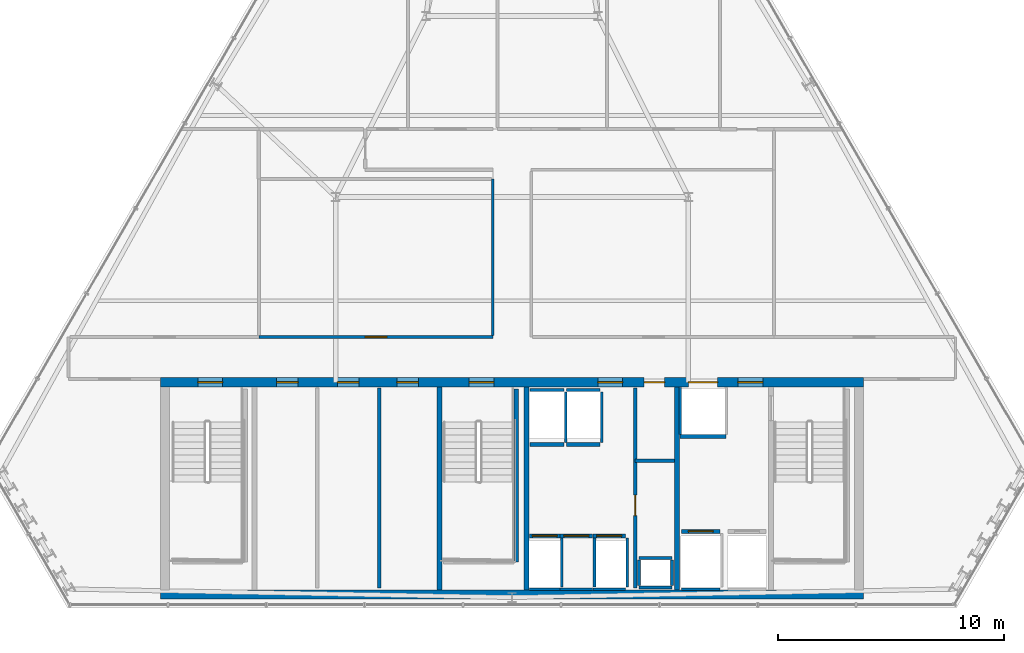
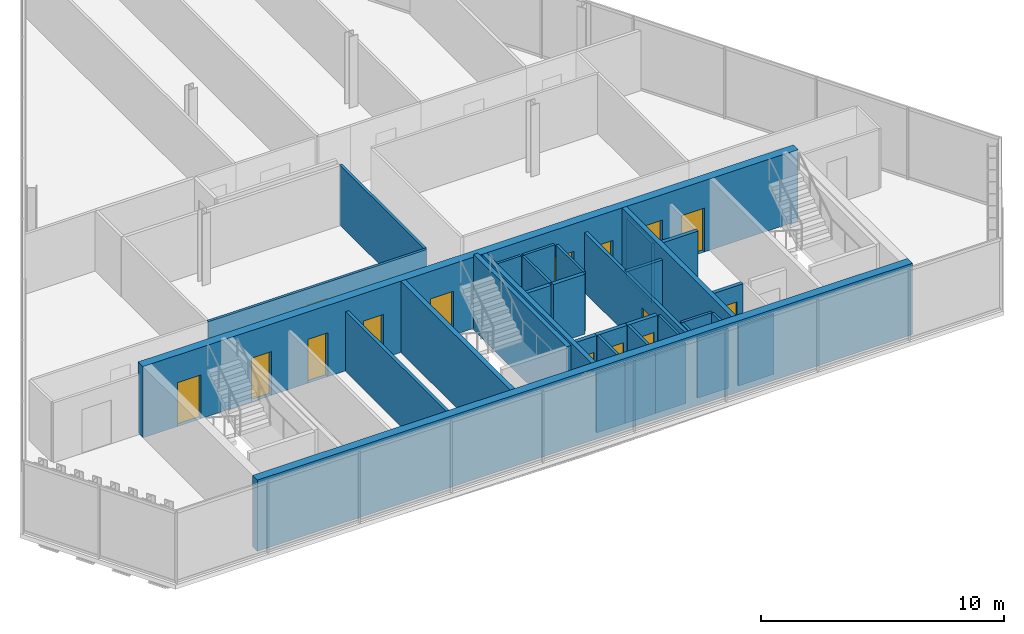
# One storey, part 24 of 29: 34 walls, 15 doors, 15 openings.
"""IFC4 building model written with IfcOpenShell, lengths in metres."""

from ifc_helpers import new_model, si_unit, direction, frame, frame_2d, origin, place, context, subcontext, project, spatial, rectangle, extrude, material, layer, layer_set, type_object, element, fill, save


model = new_model("IFC4")

# Units and contexts
model_context = context("Model", 3, precision=1e-05, world=origin(), true_north=direction((0.0, 1.0)))
body_context = subcontext(model_context, "Body", "Model", "MODEL_VIEW")
ifc_project = project(units=[si_unit("LENGTHUNIT", "METRE"), si_unit("AREAUNIT", "SQUARE_METRE"), si_unit("VOLUMEUNIT", "CUBIC_METRE"), si_unit("PLANEANGLEUNIT", "RADIAN"), si_unit("MASSUNIT", "GRAM", prefix="KILO")], contexts=[model_context])

# Site, building, storey
site_placement = place(None, origin())
site = spatial("IfcSite", under=ifc_project, at=site_placement, CompositionType="ELEMENT")
building_placement = place(site_placement, origin())
building = spatial("IfcBuilding", under=site, at=building_placement, Name="Ndaravel Arena Tower", CompositionType="ELEMENT")
storey_placement = place(building_placement, frame((0.0, 0.0, 233.199951171875)))
storey = spatial("IfcBuildingStorey", under=building, at=storey_placement, Name="L56", CompositionType="ELEMENT", Elevation=233.199951171875)

# Wall, opening, door
ifc_material_1 = material(Name="Gypsum", Category="gypsum")
ifc_layer_1 = layer(ifc_material_1, 0.14990234375)
ifc_layer_set_1 = layer_set([ifc_layer_1], Name="Gypsum")
wall_type_1 = type_object("IfcWallType", Name="WALL-COMP-150", PredefinedType="PARTITIONING", material=ifc_layer_set_1)
wall_1_placement = place(storey_placement, frame((47.449951171875, 5.89990234375, 0.0), z_axis=(0.0, 0.0, 1.0), x_axis=(0.0, 1.0, 0.0)))
wall_1 = element("IfcWall", 1, at=wall_1_placement, inside=storey, type_object=wall_type_1, Name="L56 Core Riser Bay Partition", PredefinedType="PARTITIONING", context=body_context, shape_type="SweptSolid", body=[
    extrude(rectangle(XDim=8.85009765625, YDim=0.14990234375, at=frame_2d((4.425048828125, 0.0))), origin(), (0.0, 0.0, 1.0), 3.010498046875),
])
opening_1_placement = place(wall_1_placement, frame((3.199951171875, 0.0, 0.0)))
opening_1 = element("IfcOpeningElement", 2, at=opening_1_placement, cuts=wall_1, Name="Opening RD-01", PredefinedType="OPENING", context=body_context, shape_type="SweptSolid", body=[
    extrude(rectangle(XDim=0.89990234375, YDim=2.10009765625, at=frame_2d((0.449951171875, 1.050048828125))), frame((0.0, 0.074951171875, 0.0), z_axis=(0.0, -1.0, 0.0), x_axis=(1.0, 0.0, 0.0)), (0.0, 0.0, 1.0), 0.14990234375),
])
ifc_material_2 = material(Name="Steel S355", Category="steel")
door_type_1 = type_object("IfcDoorType", Name="DT-08-RISER-900", OperationType="SINGLE_SWING_LEFT", PredefinedType="DOOR", material=ifc_material_2)
door_1_placement = place(opening_1_placement, origin())
door_1 = element("IfcDoor", 3, at=door_1_placement, inside=storey, type_object=door_type_1, Name="L56 Sub-Metering Closet Door", OperationType="SINGLE_SWING_LEFT", OverallHeight=2.10009765625, OverallWidth=0.89990234375, PredefinedType="DOOR", context=body_context, shape_type="SweptSolid", body=[
    extrude(rectangle(XDim=0.89990234375, YDim=2.10009765625, at=frame_2d((0.449951171875, 1.050048828125))), frame((0.0, 0.02490234375, 0.0), z_axis=(0.0, -1.0, 0.0), x_axis=(1.0, 0.0, 0.0)), (0.0, 0.0, 1.0), 0.050048828125),
])
fill(opening_1, door_1)

# Walls
wall_2_placement = place(storey_placement, frame((47.449951171875, 11.52001953125, 0.0), z_axis=(0.0, 0.0, 1.0), x_axis=(1.0, 0.0, 0.0)))
element("IfcWall", 4, at=wall_2_placement, inside=storey, type_object=wall_type_1, Name="L56 Core Riser Divider 1", PredefinedType="PARTITIONING", context=body_context, shape_type="SweptSolid", body=[
    extrude(rectangle(XDim=1.72998046875, YDim=0.14990234375, at=frame_2d((0.864990234375, 0.0))), origin(), (0.0, 0.0, 1.0), 3.010498046875),
])
wall_3_placement = place(storey_placement, frame((36.1201171875, 5.89990234375, 0.0), z_axis=(0.0, 0.0, 1.0), x_axis=(0.0, 1.0, 0.0)))
element("IfcWall", 5, at=wall_3_placement, inside=storey, type_object=wall_type_1, Name="L56 High-Zone Core Divider 2", PredefinedType="PARTITIONING", context=body_context, shape_type="SweptSolid", body=[
    extrude(rectangle(XDim=8.85009765625, YDim=0.14990234375, at=frame_2d((4.425048828125, 0.0))), origin(), (0.0, 0.0, 1.0), 3.010498046875),
])
ifc_material_3 = material(Name="Concrete C50/60", Category="concrete")
ifc_layer_2 = layer(ifc_material_3, 0.219970703125)
ifc_layer_set_2 = layer_set([ifc_layer_2], Name="Concrete C50/60")
wall_type_2 = type_object("IfcWallType", Name="WALL-CORE-220", PredefinedType="SOLIDWALL", material=ifc_layer_set_2)
for number, where, z_axis, x_axis, name in (
    (6, (38.800048828125, 5.800048828125, 0.0), (0.0, 0.0, 1.0), (0.0, 1.0, 0.0), "L56 Core Web Shear Wall 2"),
    (7, (42.64990234375, 5.800048828125, 0.0), (0.0, 0.0, 1.0), (0.0, 1.0, 0.0), "L56 Core Web Shear Wall 3"),
    (8, (49.300048828125, 5.800048828125, 0.0), (0.0, 0.0, 1.0), (0.0, 1.0, 0.0), "L56 Core Web Shear Wall 4"),
):
    element("IfcWall", number, at=place(storey_placement, frame(where, z_axis=z_axis, x_axis=x_axis)), inside=storey, type_object=wall_type_2, Name=name, PredefinedType="SOLIDWALL", context=body_context, shape_type="SweptSolid", body=[
        extrude(rectangle(XDim=9.0, YDim=0.219970703125, at=frame_2d((4.5, 0.0))), origin(), (0.0, 0.0, 1.0), 3.580078125),
    ])

# Wall, openings, doors
ifc_material_4 = material(Name="Concrete C50/60", Category="concrete")
ifc_layer_3 = layer(ifc_material_4, 0.39990234375)
ifc_layer_set_3 = layer_set([ifc_layer_3], Name="Concrete C50/60")
wall_type_3 = type_object("IfcWallType", Name="WALL-CORE-400", PredefinedType="SOLIDWALL", material=ifc_layer_set_3)
wall_4_placement = place(storey_placement, frame((26.449951171875, 15.0, 0.0), z_axis=(0.0, 0.0, 1.0), x_axis=(1.0, 0.0, 0.0)))
wall_4 = element("IfcWall", 9, at=wall_4_placement, inside=storey, type_object=wall_type_3, Name="L56 Core North Shear Wall", PredefinedType="SOLIDWALL", context=body_context, shape_type="SweptSolid", body=[
    extrude(rectangle(XDim=31.10009765625, YDim=0.39990234375, at=frame_2d((15.550048828125, 0.0))), origin(), (0.0, 0.0, 1.0), 3.580078125),
])
opening_2_placement = place(wall_4_placement, frame((1.64990234375, 0.0, 0.0)))
opening_2 = element("IfcOpeningElement", 10, at=opening_2_placement, cuts=wall_4, Name="Opening FD-01", PredefinedType="OPENING", context=body_context, shape_type="SweptSolid", body=[
    extrude(rectangle(XDim=1.10009765625, YDim=2.199951171875, at=frame_2d((0.550048828125, 1.10009765625))), frame((0.0, 0.199951171875, 0.0), z_axis=(0.0, -1.0, 0.0), x_axis=(1.0, 0.0, 0.0)), (0.0, 0.0, 1.0), 0.39990234375),
])
opening_3_placement = place(wall_4_placement, frame((13.64990234375, 0.0, 0.0)))
opening_3 = element("IfcOpeningElement", 11, at=opening_3_placement, cuts=wall_4, Name="Opening FD-01", PredefinedType="OPENING", context=body_context, shape_type="SweptSolid", body=[
    extrude(rectangle(XDim=1.10009765625, YDim=2.199951171875, at=frame_2d((0.550048828125, 1.10009765625))), frame((0.0, 0.199951171875, 0.0), z_axis=(0.0, -1.0, 0.0), x_axis=(1.0, 0.0, 0.0)), (0.0, 0.0, 1.0), 0.39990234375),
])
opening_4_placement = place(wall_4_placement, frame((25.550048828125, 0.0, 0.0)))
opening_4 = element("IfcOpeningElement", 12, at=opening_4_placement, cuts=wall_4, Name="Opening FD-01", PredefinedType="OPENING", context=body_context, shape_type="SweptSolid", body=[
    extrude(rectangle(XDim=1.10009765625, YDim=2.199951171875, at=frame_2d((0.550048828125, 1.10009765625))), frame((0.0, 0.199951171875, 0.0), z_axis=(0.0, -1.0, 0.0), x_axis=(1.0, 0.0, 0.0)), (0.0, 0.0, 1.0), 0.39990234375),
])
opening_5_placement = place(wall_4_placement, frame((19.35009765625, 0.0, 0.0)))
opening_5 = element("IfcOpeningElement", 13, at=opening_5_placement, cuts=wall_4, Name="Opening FD-01", PredefinedType="OPENING", context=body_context, shape_type="SweptSolid", body=[
    extrude(rectangle(XDim=1.10009765625, YDim=2.199951171875, at=frame_2d((0.550048828125, 1.10009765625))), frame((0.0, 0.199951171875, 0.0), z_axis=(0.0, -1.0, 0.0), x_axis=(1.0, 0.0, 0.0)), (0.0, 0.0, 1.0), 0.39990234375),
])
opening_6_placement = place(wall_4_placement, frame((21.39990234375, 0.0, 0.0)))
opening_6 = element("IfcOpeningElement", 14, at=opening_6_placement, cuts=wall_4, Name="Opening RD-01", PredefinedType="OPENING", context=body_context, shape_type="SweptSolid", body=[
    extrude(rectangle(XDim=0.89990234375, YDim=2.10009765625, at=frame_2d((0.449951171875, 1.050048828125))), frame((0.0, 0.199951171875, 0.0), z_axis=(0.0, -1.0, 0.0), x_axis=(1.0, 0.0, 0.0)), (0.0, 0.0, 1.0), 0.39990234375),
])
opening_7_placement = place(wall_4_placement, frame((5.139892578125, 0.0, 0.0)))
opening_7 = element("IfcOpeningElement", 15, at=opening_7_placement, cuts=wall_4, Name="Opening FD-03", PredefinedType="OPENING", context=body_context, shape_type="SweptSolid", body=[
    extrude(rectangle(XDim=0.949951171875, YDim=2.199951171875, at=frame_2d((0.47509765625, 1.10009765625))), frame((0.0, 0.199951171875, 0.0), z_axis=(0.0, -1.0, 0.0), x_axis=(1.0, 0.0, 0.0)), (0.0, 0.0, 1.0), 0.39990234375),
])
opening_8_placement = place(wall_4_placement, frame((7.824951171875, 0.0, 0.0)))
opening_8 = element("IfcOpeningElement", 16, at=opening_8_placement, cuts=wall_4, Name="Opening FD-03", PredefinedType="OPENING", context=body_context, shape_type="SweptSolid", body=[
    extrude(rectangle(XDim=0.949951171875, YDim=2.199951171875, at=frame_2d((0.47509765625, 1.10009765625))), frame((0.0, 0.199951171875, 0.0), z_axis=(0.0, -1.0, 0.0), x_axis=(1.0, 0.0, 0.0)), (0.0, 0.0, 1.0), 0.39990234375),
])
opening_9_placement = place(wall_4_placement, frame((10.4599609375, 0.0, 0.0)))
opening_9 = element("IfcOpeningElement", 17, at=opening_9_placement, cuts=wall_4, Name="Opening FD-03", PredefinedType="OPENING", context=body_context, shape_type="SweptSolid", body=[
    extrude(rectangle(XDim=0.949951171875, YDim=2.199951171875, at=frame_2d((0.47509765625, 1.10009765625))), frame((0.0, 0.199951171875, 0.0), z_axis=(0.0, -1.0, 0.0), x_axis=(1.0, 0.0, 0.0)), (0.0, 0.0, 1.0), 0.39990234375),
])
opening_10_placement = place(wall_4_placement, frame((23.35009765625, 0.0, 0.0)))
opening_10 = element("IfcOpeningElement", 18, at=opening_10_placement, cuts=wall_4, Name="Opening LD-02", PredefinedType="OPENING", context=body_context, shape_type="SweptSolid", body=[
    extrude(rectangle(XDim=1.300048828125, YDim=2.300048828125, at=frame_2d((0.64990234375, 1.14990234375))), frame((0.0, 0.199951171875, 0.0), z_axis=(0.0, -1.0, 0.0), x_axis=(1.0, 0.0, 0.0)), (0.0, 0.0, 1.0), 0.39990234375),
])
ifc_material_5 = material(Name="Steel S355", Category="steel")
door_type_2 = type_object("IfcDoorType", Name="DT-01-STAIR-1100", OperationType="SINGLE_SWING_LEFT", PredefinedType="DOOR", material=ifc_material_5)
door_2_placement = place(opening_2_placement, origin())
door_2 = element("IfcDoor", 19, at=door_2_placement, inside=storey, type_object=door_type_2, Name="L56 Exit Stair ST-1 Door", OperationType="SINGLE_SWING_LEFT", OverallHeight=2.199951171875, OverallWidth=1.10009765625, PredefinedType="DOOR", context=body_context, shape_type="SweptSolid", body=[
    extrude(rectangle(XDim=1.10009765625, YDim=2.199951171875, at=frame_2d((0.550048828125, 1.10009765625))), frame((0.0, 0.02490234375, 0.0), z_axis=(0.0, -1.0, 0.0), x_axis=(1.0, 0.0, 0.0)), (0.0, 0.0, 1.0), 0.050048828125),
])
fill(opening_2, door_2)
door_3_placement = place(opening_3_placement, origin())
door_3 = element("IfcDoor", 20, at=door_3_placement, inside=storey, type_object=door_type_2, Name="L56 Exit Stair ST-2 Door", OperationType="SINGLE_SWING_RIGHT", OverallHeight=2.199951171875, OverallWidth=1.10009765625, PredefinedType="DOOR", context=body_context, shape_type="SweptSolid", body=[
    extrude(rectangle(XDim=1.10009765625, YDim=2.199951171875, at=frame_2d((0.550048828125, 1.10009765625))), frame((0.0, 0.02490234375, 0.0), z_axis=(0.0, -1.0, 0.0), x_axis=(1.0, 0.0, 0.0)), (0.0, 0.0, 1.0), 0.050048828125),
])
fill(opening_3, door_3)
door_4_placement = place(opening_4_placement, origin())
door_4 = element("IfcDoor", 21, at=door_4_placement, inside=storey, type_object=door_type_2, Name="L56 Firefighting Lift Lobby Door", OperationType="SINGLE_SWING_RIGHT", OverallHeight=2.199951171875, OverallWidth=1.10009765625, PredefinedType="DOOR", context=body_context, shape_type="SweptSolid", body=[
    extrude(rectangle(XDim=1.10009765625, YDim=2.199951171875, at=frame_2d((0.550048828125, 1.10009765625))), frame((0.0, 0.02490234375, 0.0), z_axis=(0.0, -1.0, 0.0), x_axis=(1.0, 0.0, 0.0)), (0.0, 0.0, 1.0), 0.050048828125),
])
fill(opening_4, door_4)
door_5_placement = place(opening_5_placement, origin())
door_5 = element("IfcDoor", 22, at=door_5_placement, inside=storey, type_object=door_type_2, Name="L56 Express Lift Lobby Entry Door", OperationType="SINGLE_SWING_LEFT", OverallHeight=2.199951171875, OverallWidth=1.10009765625, PredefinedType="DOOR", context=body_context, shape_type="SweptSolid", body=[
    extrude(rectangle(XDim=1.10009765625, YDim=2.199951171875, at=frame_2d((0.550048828125, 1.10009765625))), frame((0.0, 0.02490234375, 0.0), z_axis=(0.0, -1.0, 0.0), x_axis=(1.0, 0.0, 0.0)), (0.0, 0.0, 1.0), 0.050048828125),
])
fill(opening_5, door_5)
ifc_material_6 = material(Name="Steel S355", Category="steel")
door_type_3 = type_object("IfcDoorType", Name="DT-07-SVLIFT-1300", OperationType="DOUBLE_DOOR_SLIDING", PredefinedType="DOOR", material=ifc_material_6)
door_6_placement = place(opening_10_placement, origin())
door_6 = element("IfcDoor", 23, at=door_6_placement, inside=storey, type_object=door_type_3, Name="L56 Lift SVL-1 Sliding Landing Door", OperationType="DOUBLE_DOOR_SLIDING", OverallHeight=2.300048828125, OverallWidth=1.300048828125, PredefinedType="DOOR", context=body_context, shape_type="SweptSolid", body=[
    extrude(rectangle(XDim=1.300048828125, YDim=2.300048828125, at=frame_2d((0.64990234375, 1.14990234375))), frame((0.0, 0.02490234375, 0.0), z_axis=(0.0, -1.0, 0.0), x_axis=(1.0, 0.0, 0.0)), (0.0, 0.0, 1.0), 0.050048828125),
])
fill(opening_10, door_6)
door_7_placement = place(opening_6_placement, origin())
door_7 = element("IfcDoor", 24, at=door_7_placement, inside=storey, type_object=door_type_1, Name="L56 Core Service Riser North Door", OperationType="SINGLE_SWING_LEFT", OverallHeight=2.10009765625, OverallWidth=0.89990234375, PredefinedType="DOOR", context=body_context, shape_type="SweptSolid", body=[
    extrude(rectangle(XDim=0.89990234375, YDim=2.10009765625, at=frame_2d((0.449951171875, 1.050048828125))), frame((0.0, 0.02490234375, 0.0), z_axis=(0.0, -1.0, 0.0), x_axis=(1.0, 0.0, 0.0)), (0.0, 0.0, 1.0), 0.050048828125),
])
fill(opening_6, door_7)
ifc_material_7 = material(Name="Steel S355", Category="steel")
door_type_4 = type_object("IfcDoorType", Name="DT-11-CORE-950", OperationType="SINGLE_SWING_LEFT", PredefinedType="DOOR", material=ifc_material_7)
door_8_placement = place(opening_7_placement, origin())
door_8 = element("IfcDoor", 25, at=door_8_placement, inside=storey, type_object=door_type_4, Name="L56 High-Zone Reclaimed Core Room 1 Door", OperationType="SINGLE_SWING_LEFT", OverallHeight=2.199951171875, OverallWidth=0.949951171875, PredefinedType="DOOR", context=body_context, shape_type="SweptSolid", body=[
    extrude(rectangle(XDim=0.949951171875, YDim=2.199951171875, at=frame_2d((0.47509765625, 1.10009765625))), frame((0.0, 0.02490234375, 0.0), z_axis=(0.0, -1.0, 0.0), x_axis=(1.0, 0.0, 0.0)), (0.0, 0.0, 1.0), 0.050048828125),
])
fill(opening_7, door_8)
door_9_placement = place(opening_8_placement, origin())
door_9 = element("IfcDoor", 26, at=door_9_placement, inside=storey, type_object=door_type_4, Name="L56 High-Zone Reclaimed Core Room 2 Door", OperationType="SINGLE_SWING_RIGHT", OverallHeight=2.199951171875, OverallWidth=0.949951171875, PredefinedType="DOOR", context=body_context, shape_type="SweptSolid", body=[
    extrude(rectangle(XDim=0.949951171875, YDim=2.199951171875, at=frame_2d((0.47509765625, 1.10009765625))), frame((0.0, 0.02490234375, 0.0), z_axis=(0.0, -1.0, 0.0), x_axis=(1.0, 0.0, 0.0)), (0.0, 0.0, 1.0), 0.050048828125),
])
fill(opening_8, door_9)
door_10_placement = place(opening_9_placement, origin())
door_10 = element("IfcDoor", 27, at=door_10_placement, inside=storey, type_object=door_type_4, Name="L56 High-Zone Reclaimed Core Room 3 Door", OperationType="SINGLE_SWING_LEFT", OverallHeight=2.199951171875, OverallWidth=0.949951171875, PredefinedType="DOOR", context=body_context, shape_type="SweptSolid", body=[
    extrude(rectangle(XDim=0.949951171875, YDim=2.199951171875, at=frame_2d((0.47509765625, 1.10009765625))), frame((0.0, 0.02490234375, 0.0), z_axis=(0.0, -1.0, 0.0), x_axis=(1.0, 0.0, 0.0)), (0.0, 0.0, 1.0), 0.050048828125),
])
fill(opening_9, door_10)

# Wall
wall_5_placement = place(storey_placement, frame((26.449951171875, 5.60009765625, 0.0), z_axis=(0.0, 0.0, 1.0), x_axis=(1.0, 0.0, 0.0)))
element("IfcWall", 28, at=wall_5_placement, inside=storey, type_object=wall_type_3, Name="L56 Core South Shear Wall", PredefinedType="SOLIDWALL", context=body_context, shape_type="SweptSolid", body=[
    extrude(rectangle(XDim=31.10009765625, YDim=0.39990234375, at=frame_2d((15.550048828125, 0.0))), origin(), (0.0, 0.0, 1.0), 3.580078125),
])

# Wall, opening, door
ifc_material_8 = material(Name="Gypsum", Category="gypsum")
ifc_layer_4 = layer(ifc_material_8, 0.125)
ifc_layer_set_4 = layer_set([ifc_layer_4], Name="Gypsum")
wall_type_4 = type_object("IfcWallType", Name="WALL-PART-125", PredefinedType="PARTITIONING", material=ifc_layer_set_4)
wall_6_placement = place(storey_placement, frame((30.800048828125, 17.0, 0.0), z_axis=(0.0, 0.0, 1.0), x_axis=(1.0, 0.0, 0.0)))
wall_6 = element("IfcWall", 29, at=wall_6_placement, inside=storey, type_object=wall_type_4, Name="L56 Interior Partition 006", PredefinedType="PARTITIONING", context=body_context, shape_type="SweptSolid", body=[
    extrude(rectangle(XDim=10.349853515625, YDim=0.125, at=frame_2d((5.1748046875, 0.0))), origin(), (0.0, 0.0, 1.0), 3.010498046875),
])
opening_11_placement = place(wall_6_placement, frame((4.699951171875, 0.0, 0.0)))
opening_11 = element("IfcOpeningElement", 30, at=opening_11_placement, cuts=wall_6, Name="Opening ID-01", PredefinedType="OPENING", context=body_context, shape_type="SweptSolid", body=[
    extrude(rectangle(XDim=0.949951171875, YDim=2.199951171875, at=frame_2d((0.47509765625, 1.10009765625))), frame((0.0, 0.0625, 0.0), z_axis=(0.0, -1.0, 0.0), x_axis=(1.0, 0.0, 0.0)), (0.0, 0.0, 1.0), 0.125),
])
ifc_material_9 = material(Name="Timber", Category="wood")
door_type_5 = type_object("IfcDoorType", Name="DT-03-OFFICE-950", OperationType="SINGLE_SWING_LEFT", PredefinedType="DOOR", material=ifc_material_9)
door_11_placement = place(opening_11_placement, origin())
door_11 = element("IfcDoor", 31, at=door_11_placement, inside=storey, type_object=door_type_5, Name="L56 Quiet Reading Library Door", OperationType="SINGLE_SWING_LEFT", OverallHeight=2.199951171875, OverallWidth=0.949951171875, PredefinedType="DOOR", context=body_context, shape_type="SweptSolid", body=[
    extrude(rectangle(XDim=0.949951171875, YDim=2.199951171875, at=frame_2d((0.47509765625, 1.10009765625))), frame((0.0, 0.02490234375, 0.0), z_axis=(0.0, -1.0, 0.0), x_axis=(1.0, 0.0, 0.0)), (0.0, 0.0, 1.0), 0.050048828125),
])
fill(opening_11, door_11)

# Walls
wall_7_placement = place(storey_placement, frame((41.14990234375, 17.06494140625, 0.0), z_axis=(0.0, 0.0, 1.0), x_axis=(0.0, 1.0, 0.0)))
element("IfcWall", 32, at=wall_7_placement, inside=storey, type_object=wall_type_4, Name="L56 Interior Partition 007", PredefinedType="PARTITIONING", context=body_context, shape_type="SweptSolid", body=[
    extrude(rectangle(XDim=6.927001953125, YDim=0.125, at=frame_2d((3.46337890625, 0.0))), origin(), (0.0, 0.0, 1.0), 3.010498046875),
])
ifc_material_10 = material(Name="Concrete C40/50", Category="concrete")
ifc_layer_5 = layer(ifc_material_10, 0.1201171875)
ifc_layer_set_5 = layer_set([ifc_layer_5], Name="Concrete C40/50")
wall_type_5 = type_object("IfcWallType", Name="WALL-SHAFT-120", PredefinedType="SOLIDWALL", material=ifc_layer_set_5)
for number, where, z_axis, x_axis, name in (
    (33, (47.6201171875, 5.919921875, 0.0), (0.0, 0.0, 1.0), (1.0, 0.0, 0.0), "L56 MEP Riser Shaft S Wall"),
    (34, (47.6201171875, 7.219970703125, 0.0), (0.0, 0.0, 1.0), (1.0, 0.0, 0.0), "L56 MEP Riser Shaft N Wall"),
):
    element("IfcWall", number, at=place(storey_placement, frame(where, z_axis=z_axis, x_axis=x_axis)), inside=storey, type_object=wall_type_5, Name=name, PredefinedType="SOLIDWALL", context=body_context, shape_type="SweptSolid", body=[
        extrude(rectangle(XDim=1.4599609375, YDim=0.1201171875, at=frame_2d((0.72998046875, 0.0))), origin(), (0.0, 0.0, 1.0), 3.010498046875),
    ])
for number, where, z_axis, x_axis, name in (
    (35, (47.6201171875, 6.0, 0.0), (0.0, 0.0, 1.0), (0.0, 1.0, 0.0), "L56 MEP Riser Shaft W Wall"),
    (36, (49.080078125, 6.0, 0.0), (0.0, 0.0, 1.0), (0.0, 1.0, 0.0), "L56 MEP Riser Shaft E Wall"),
):
    element("IfcWall", number, at=place(storey_placement, frame(where, z_axis=z_axis, x_axis=x_axis)), inside=storey, type_object=wall_type_5, Name=name, PredefinedType="SOLIDWALL", context=body_context, shape_type="SweptSolid", body=[
        extrude(rectangle(XDim=1.139892578125, YDim=0.1201171875, at=frame_2d((0.56982421875, 0.0))), origin(), (0.0, 0.0, 1.0), 3.010498046875),
    ])
wall_8_placement = place(storey_placement, frame((42.780029296875, 5.840087890625, 0.0), z_axis=(0.0, 0.0, 1.0), x_axis=(1.0, 0.0, 0.0)))
element("IfcWall", 37, at=wall_8_placement, inside=storey, type_object=wall_type_5, Name="L56 PL-H1 Shaft Rear Wall", PredefinedType="SOLIDWALL", context=body_context, shape_type="SweptSolid", body=[
    extrude(rectangle(XDim=1.340087890625, YDim=0.1201171875, at=frame_2d((0.669921875, 0.0))), origin(), (0.0, 0.0, 1.0), 3.010498046875),
])
wall_9_placement = place(storey_placement, frame((44.199951171875, 5.929931640625, 0.0), z_axis=(0.0, 0.0, 1.0), x_axis=(0.0, 1.0, 0.0)))
element("IfcWall", 38, at=wall_9_placement, inside=storey, type_object=wall_type_5, Name="L56 PL-H1 Shaft Side R Wall", PredefinedType="SOLIDWALL", context=body_context, shape_type="SweptSolid", body=[
    extrude(rectangle(XDim=2.18017578125, YDim=0.1201171875, at=frame_2d((1.090087890625, 0.0))), origin(), (0.0, 0.0, 1.0), 3.010498046875),
])
wall_10_placement = place(storey_placement, frame((44.1298828125, 5.840087890625, 0.0), z_axis=(0.0, 0.0, 1.0), x_axis=(1.0, 0.0, 0.0)))
element("IfcWall", 39, at=wall_10_placement, inside=storey, type_object=wall_type_5, Name="L56 PL-H2 Shaft Rear Wall", PredefinedType="SOLIDWALL", context=body_context, shape_type="SweptSolid", body=[
    extrude(rectangle(XDim=1.440185546875, YDim=0.1201171875, at=frame_2d((0.72021484375, 0.0))), origin(), (0.0, 0.0, 1.0), 3.010498046875),
])
wall_11_placement = place(storey_placement, frame((45.64990234375, 5.929931640625, 0.0), z_axis=(0.0, 0.0, 1.0), x_axis=(0.0, 1.0, 0.0)))
element("IfcWall", 40, at=wall_11_placement, inside=storey, type_object=wall_type_5, Name="L56 PL-H2 Shaft Side R Wall", PredefinedType="SOLIDWALL", context=body_context, shape_type="SweptSolid", body=[
    extrude(rectangle(XDim=2.18017578125, YDim=0.1201171875, at=frame_2d((1.090087890625, 0.0))), origin(), (0.0, 0.0, 1.0), 3.010498046875),
])
wall_12_placement = place(storey_placement, frame((45.580078125, 5.840087890625, 0.0), z_axis=(0.0, 0.0, 1.0), x_axis=(1.0, 0.0, 0.0)))
element("IfcWall", 41, at=wall_12_placement, inside=storey, type_object=wall_type_5, Name="L56 PL-H3 Shaft Rear Wall", PredefinedType="SOLIDWALL", context=body_context, shape_type="SweptSolid", body=[
    extrude(rectangle(XDim=1.43994140625, YDim=0.1201171875, at=frame_2d((0.719970703125, 0.0))), origin(), (0.0, 0.0, 1.0), 3.010498046875),
])
wall_13_placement = place(storey_placement, frame((47.10009765625, 5.929931640625, 0.0), z_axis=(0.0, 0.0, 1.0), x_axis=(0.0, 1.0, 0.0)))
element("IfcWall", 42, at=wall_13_placement, inside=storey, type_object=wall_type_5, Name="L56 PL-H3 Shaft Side R Wall", PredefinedType="SOLIDWALL", context=body_context, shape_type="SweptSolid", body=[
    extrude(rectangle(XDim=2.18017578125, YDim=0.1201171875, at=frame_2d((1.090087890625, 0.0))), origin(), (0.0, 0.0, 1.0), 3.010498046875),
])
wall_14_placement = place(storey_placement, frame((42.804931640625, 14.659912109375, 0.0), z_axis=(0.0, 0.0, 1.0), x_axis=(1.0, 0.0, 0.0)))
element("IfcWall", 43, at=wall_14_placement, inside=storey, type_object=wall_type_5, Name="L56 PL-OBS1 Shaft Rear Wall", PredefinedType="SOLIDWALL", context=body_context, shape_type="SweptSolid", body=[
    extrude(rectangle(XDim=1.489990234375, YDim=0.1201171875, at=frame_2d((0.7451171875, 0.0))), origin(), (0.0, 0.0, 1.0), 3.010498046875),
])
wall_15_placement = place(storey_placement, frame((44.375, 12.340087890625, 0.0), z_axis=(0.0, 0.0, 1.0), x_axis=(0.0, 1.0, 0.0)))
element("IfcWall", 44, at=wall_15_placement, inside=storey, type_object=wall_type_5, Name="L56 PL-OBS1 Shaft Side R Wall", PredefinedType="SOLIDWALL", context=body_context, shape_type="SweptSolid", body=[
    extrude(rectangle(XDim=2.22998046875, YDim=0.1201171875, at=frame_2d((1.114990234375, 0.0))), origin(), (0.0, 0.0, 1.0), 3.010498046875),
])
wall_16_placement = place(storey_placement, frame((44.405029296875, 14.659912109375, 0.0), z_axis=(0.0, 0.0, 1.0), x_axis=(1.0, 0.0, 0.0)))
element("IfcWall", 45, at=wall_16_placement, inside=storey, type_object=wall_type_5, Name="L56 PL-OBS2 Shaft Rear Wall", PredefinedType="SOLIDWALL", context=body_context, shape_type="SweptSolid", body=[
    extrude(rectangle(XDim=1.489990234375, YDim=0.1201171875, at=frame_2d((0.7451171875, 0.0))), origin(), (0.0, 0.0, 1.0), 3.010498046875),
])
wall_17_placement = place(storey_placement, frame((45.97509765625, 12.340087890625, 0.0), z_axis=(0.0, 0.0, 1.0), x_axis=(0.0, 1.0, 0.0)))
element("IfcWall", 46, at=wall_17_placement, inside=storey, type_object=wall_type_5, Name="L56 PL-OBS2 Shaft Side R Wall", PredefinedType="SOLIDWALL", context=body_context, shape_type="SweptSolid", body=[
    extrude(rectangle(XDim=2.22998046875, YDim=0.1201171875, at=frame_2d((1.114990234375, 0.0))), origin(), (0.0, 0.0, 1.0), 3.010498046875),
])
wall_18_placement = place(storey_placement, frame((49.5048828125, 5.840087890625, 0.0), z_axis=(0.0, 0.0, 1.0), x_axis=(1.0, 0.0, 0.0)))
element("IfcWall", 47, at=wall_18_placement, inside=storey, type_object=wall_type_5, Name="L56 FFL-1 Shaft Rear Wall", PredefinedType="SOLIDWALL", context=body_context, shape_type="SweptSolid", body=[
    extrude(rectangle(XDim=1.690185546875, YDim=0.1201171875, at=frame_2d((0.84521484375, 0.0))), origin(), (0.0, 0.0, 1.0), 3.010498046875),
])
wall_19_placement = place(storey_placement, frame((49.43994140625, 12.68994140625, 0.0), z_axis=(0.0, 0.0, 1.0), x_axis=(0.0, 1.0, 0.0)))
element("IfcWall", 48, at=wall_19_placement, inside=storey, type_object=wall_type_5, Name="L56 SVL-1 Shaft W Wall", PredefinedType="SOLIDWALL", context=body_context, shape_type="SweptSolid", body=[
    extrude(rectangle(XDim=2.070068359375, YDim=0.1201171875, at=frame_2d((1.03515625, 0.0))), origin(), (0.0, 0.0, 1.0), 3.010498046875),
])
ifc_material_11 = material(Name="Concrete C40/50", Category="concrete")
ifc_layer_6 = layer(ifc_material_11, 0.199951171875)
ifc_layer_set_6 = layer_set([ifc_layer_6], Name="Concrete C40/50")
wall_type_6 = type_object("IfcWallType", Name="WALL-SHAFT-200", PredefinedType="SOLIDWALL", material=ifc_layer_set_6)
wall_20_placement = place(storey_placement, frame((42.18994140625, 14.699951171875, 0.0), z_axis=(0.0, 0.0, 1.0), x_axis=(0.0, -1.0, 0.0)))
element("IfcWall", 49, at=wall_20_placement, inside=storey, type_object=wall_type_6, Name="L56 ST-2 Structural Shaft Wall Right", PredefinedType="SOLIDWALL", context=body_context, shape_type="SweptSolid", body=[
    extrude(rectangle(XDim=7.64990234375, YDim=0.199951171875, at=frame_2d((3.824951171875, 0.0))), origin(), (0.0, 0.0, 1.0), 3.800048828125),
])

# Wall, opening, door
wall_21_placement = place(storey_placement, frame((42.780029296875, 8.199951171875, 0.0), z_axis=(0.0, 0.0, 1.0), x_axis=(1.0, 0.0, 0.0)))
wall_21 = element("IfcWall", 50, at=wall_21_placement, inside=storey, type_object=wall_type_6, Name="L56 PL-H1 Shaft Landing Wall", PredefinedType="SOLIDWALL", context=body_context, shape_type="SweptSolid", body=[
    extrude(rectangle(XDim=1.340087890625, YDim=0.179931640625, at=frame_2d((0.669921875, 0.0))), origin(), (0.0, 0.0, 1.0), 3.010498046875),
])
opening_12_placement = place(wall_21_placement, frame((0.1201171875, 0.0, 0.0)))
opening_12 = element("IfcOpeningElement", 51, at=opening_12_placement, cuts=wall_21, Name="Opening LD-01", PredefinedType="OPENING", context=body_context, shape_type="SweptSolid", body=[
    extrude(rectangle(XDim=1.10009765625, YDim=2.199951171875, at=frame_2d((0.550048828125, 1.10009765625))), frame((0.0, 0.08984375, 0.0), z_axis=(0.0, -1.0, 0.0), x_axis=(1.0, 0.0, 0.0)), (0.0, 0.0, 1.0), 0.179931640625),
])
ifc_material_12 = material(Name="Steel S355", Category="steel")
door_type_6 = type_object("IfcDoorType", Name="DT-06-LIFT-1100", OperationType="SLIDING_TO_LEFT", PredefinedType="DOOR", material=ifc_material_12)
door_12_placement = place(opening_12_placement, origin())
door_12 = element("IfcDoor", 52, at=door_12_placement, inside=storey, type_object=door_type_6, Name="L56 Lift PL-H1 Sliding Landing Door", OperationType="SLIDING_TO_LEFT", OverallHeight=2.199951171875, OverallWidth=1.10009765625, PredefinedType="DOOR", context=body_context, shape_type="SweptSolid", body=[
    extrude(rectangle(XDim=1.10009765625, YDim=2.199951171875, at=frame_2d((0.550048828125, 1.10009765625))), frame((0.0, 0.02490234375, 0.0), z_axis=(0.0, -1.0, 0.0), x_axis=(1.0, 0.0, 0.0)), (0.0, 0.0, 1.0), 0.050048828125),
])
fill(opening_12, door_12)

wall_22_placement = place(storey_placement, frame((44.1298828125, 8.199951171875, 0.0), z_axis=(0.0, 0.0, 1.0), x_axis=(1.0, 0.0, 0.0)))
wall_22 = element("IfcWall", 53, at=wall_22_placement, inside=storey, type_object=wall_type_6, Name="L56 PL-H2 Shaft Landing Wall", PredefinedType="SOLIDWALL", context=body_context, shape_type="SweptSolid", body=[
    extrude(rectangle(XDim=1.440185546875, YDim=0.179931640625, at=frame_2d((0.72021484375, 0.0))), origin(), (0.0, 0.0, 1.0), 3.010498046875),
])
opening_13_placement = place(wall_22_placement, frame((0.169921875, 0.0, 0.0)))
opening_13 = element("IfcOpeningElement", 54, at=opening_13_placement, cuts=wall_22, Name="Opening LD-01", PredefinedType="OPENING", context=body_context, shape_type="SweptSolid", body=[
    extrude(rectangle(XDim=1.10009765625, YDim=2.199951171875, at=frame_2d((0.550048828125, 1.10009765625))), frame((0.0, 0.08984375, 0.0), z_axis=(0.0, -1.0, 0.0), x_axis=(1.0, 0.0, 0.0)), (0.0, 0.0, 1.0), 0.179931640625),
])
door_13_placement = place(opening_13_placement, origin())
door_13 = element("IfcDoor", 55, at=door_13_placement, inside=storey, type_object=door_type_6, Name="L56 Lift PL-H2 Sliding Landing Door", OperationType="SLIDING_TO_LEFT", OverallHeight=2.199951171875, OverallWidth=1.10009765625, PredefinedType="DOOR", context=body_context, shape_type="SweptSolid", body=[
    extrude(rectangle(XDim=1.10009765625, YDim=2.199951171875, at=frame_2d((0.550048828125, 1.10009765625))), frame((0.0, 0.02490234375, 0.0), z_axis=(0.0, -1.0, 0.0), x_axis=(1.0, 0.0, 0.0)), (0.0, 0.0, 1.0), 0.050048828125),
])
fill(opening_13, door_13)

wall_23_placement = place(storey_placement, frame((45.580078125, 8.199951171875, 0.0), z_axis=(0.0, 0.0, 1.0), x_axis=(1.0, 0.0, 0.0)))
wall_23 = element("IfcWall", 56, at=wall_23_placement, inside=storey, type_object=wall_type_6, Name="L56 PL-H3 Shaft Landing Wall", PredefinedType="SOLIDWALL", context=body_context, shape_type="SweptSolid", body=[
    extrude(rectangle(XDim=1.43994140625, YDim=0.179931640625, at=frame_2d((0.719970703125, 0.0))), origin(), (0.0, 0.0, 1.0), 3.010498046875),
])
opening_14_placement = place(wall_23_placement, frame((0.169921875, 0.0, 0.0)))
opening_14 = element("IfcOpeningElement", 57, at=opening_14_placement, cuts=wall_23, Name="Opening LD-01", PredefinedType="OPENING", context=body_context, shape_type="SweptSolid", body=[
    extrude(rectangle(XDim=1.10009765625, YDim=2.199951171875, at=frame_2d((0.550048828125, 1.10009765625))), frame((0.0, 0.08984375, 0.0), z_axis=(0.0, -1.0, 0.0), x_axis=(1.0, 0.0, 0.0)), (0.0, 0.0, 1.0), 0.179931640625),
])
door_14_placement = place(opening_14_placement, origin())
door_14 = element("IfcDoor", 58, at=door_14_placement, inside=storey, type_object=door_type_6, Name="L56 Lift PL-H3 Sliding Landing Door", OperationType="SLIDING_TO_LEFT", OverallHeight=2.199951171875, OverallWidth=1.10009765625, PredefinedType="DOOR", context=body_context, shape_type="SweptSolid", body=[
    extrude(rectangle(XDim=1.10009765625, YDim=2.199951171875, at=frame_2d((0.550048828125, 1.10009765625))), frame((0.0, 0.02490234375, 0.0), z_axis=(0.0, -1.0, 0.0), x_axis=(1.0, 0.0, 0.0)), (0.0, 0.0, 1.0), 0.050048828125),
])
fill(opening_14, door_14)

# Walls
for number, where, z_axis, x_axis, name in (
    (59, (42.804931640625, 12.25, 0.0), (0.0, 0.0, 1.0), (1.0, 0.0, 0.0), "L56 PL-OBS1 Shaft Landing Wall"),
    (60, (44.405029296875, 12.25, 0.0), (0.0, 0.0, 1.0), (1.0, 0.0, 0.0), "L56 PL-OBS2 Shaft Landing Wall"),
):
    element("IfcWall", number, at=place(storey_placement, frame(where, z_axis=z_axis, x_axis=x_axis)), inside=storey, type_object=wall_type_6, Name=name, PredefinedType="SOLIDWALL", context=body_context, shape_type="SweptSolid", body=[
        extrude(rectangle(XDim=1.489990234375, YDim=0.179931640625, at=frame_2d((0.7451171875, 0.0))), origin(), (0.0, 0.0, 1.0), 3.010498046875),
    ])

# Wall, opening, door
wall_24_placement = place(storey_placement, frame((49.5048828125, 8.39990234375, 0.0), z_axis=(0.0, 0.0, 1.0), x_axis=(1.0, 0.0, 0.0)))
wall_24 = element("IfcWall", 61, at=wall_24_placement, inside=storey, type_object=wall_type_6, Name="L56 FFL-1 Shaft Landing Wall", PredefinedType="SOLIDWALL", context=body_context, shape_type="SweptSolid", body=[
    extrude(rectangle(XDim=1.690185546875, YDim=0.179931640625, at=frame_2d((0.84521484375, 0.0))), origin(), (0.0, 0.0, 1.0), 3.010498046875),
])
opening_15_placement = place(wall_24_placement, frame((0.294921875, 0.0, 0.0)))
opening_15 = element("IfcOpeningElement", 62, at=opening_15_placement, cuts=wall_24, Name="Opening LD-01", PredefinedType="OPENING", context=body_context, shape_type="SweptSolid", body=[
    extrude(rectangle(XDim=1.10009765625, YDim=2.199951171875, at=frame_2d((0.550048828125, 1.10009765625))), frame((0.0, 0.08984375, 0.0), z_axis=(0.0, -1.0, 0.0), x_axis=(1.0, 0.0, 0.0)), (0.0, 0.0, 1.0), 0.179931640625),
])
door_15_placement = place(opening_15_placement, origin())
door_15 = element("IfcDoor", 63, at=door_15_placement, inside=storey, type_object=door_type_6, Name="L56 Lift FFL-1 Sliding Landing Door", OperationType="SLIDING_TO_LEFT", OverallHeight=2.199951171875, OverallWidth=1.10009765625, PredefinedType="DOOR", context=body_context, shape_type="SweptSolid", body=[
    extrude(rectangle(XDim=1.10009765625, YDim=2.199951171875, at=frame_2d((0.550048828125, 1.10009765625))), frame((0.0, 0.02490234375, 0.0), z_axis=(0.0, -1.0, 0.0), x_axis=(1.0, 0.0, 0.0)), (0.0, 0.0, 1.0), 0.050048828125),
])
fill(opening_15, door_15)

# Wall
wall_25_placement = place(storey_placement, frame((49.43994140625, 12.594970703125, 0.0), z_axis=(0.0, 0.0, 1.0), x_axis=(1.0, 0.0, 0.0)))
element("IfcWall", 64, at=wall_25_placement, inside=storey, type_object=wall_type_6, Name="L56 SVL-1 Shaft South Wall", PredefinedType="SOLIDWALL", context=body_context, shape_type="SweptSolid", body=[
    extrude(rectangle(XDim=2.0400390625, YDim=0.179931640625, at=frame_2d((1.02001953125, 0.0))), origin(), (0.0, 0.0, 1.0), 3.010498046875),
])

save(model, "model.ifc")
